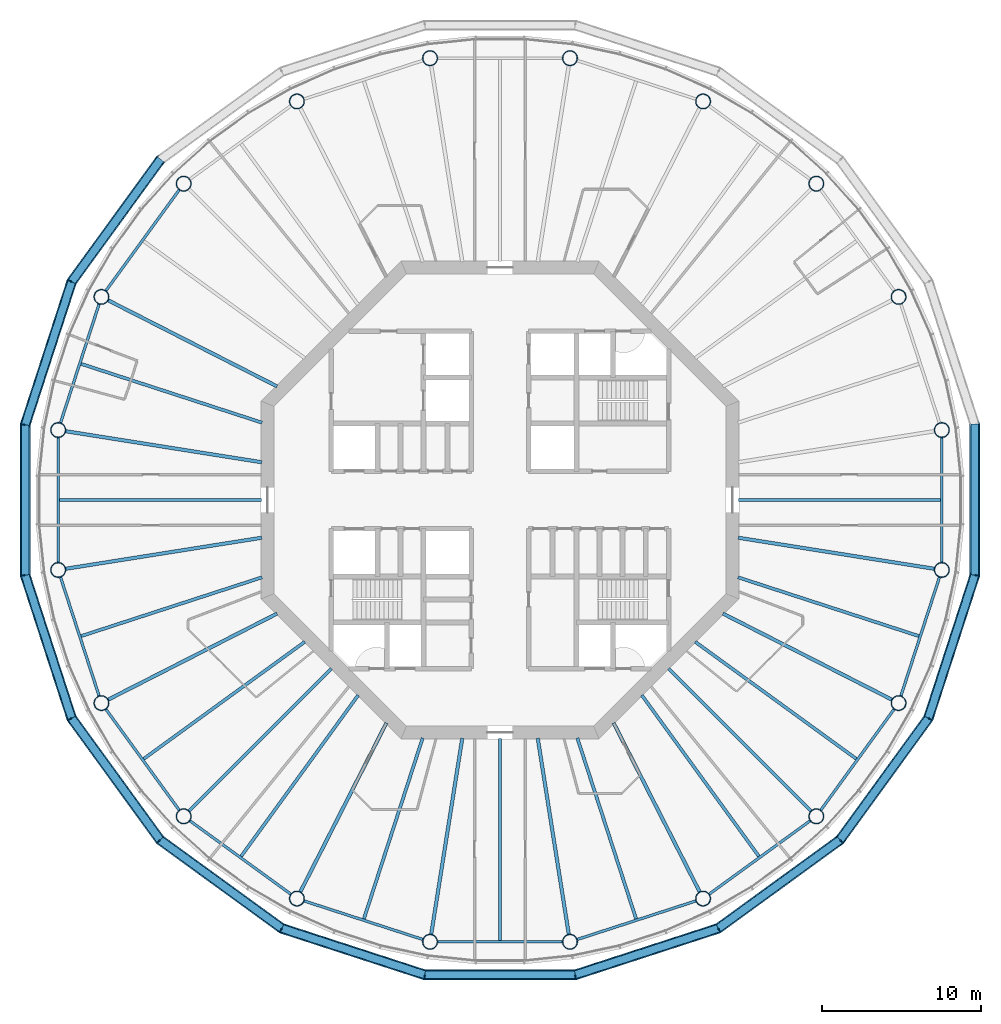
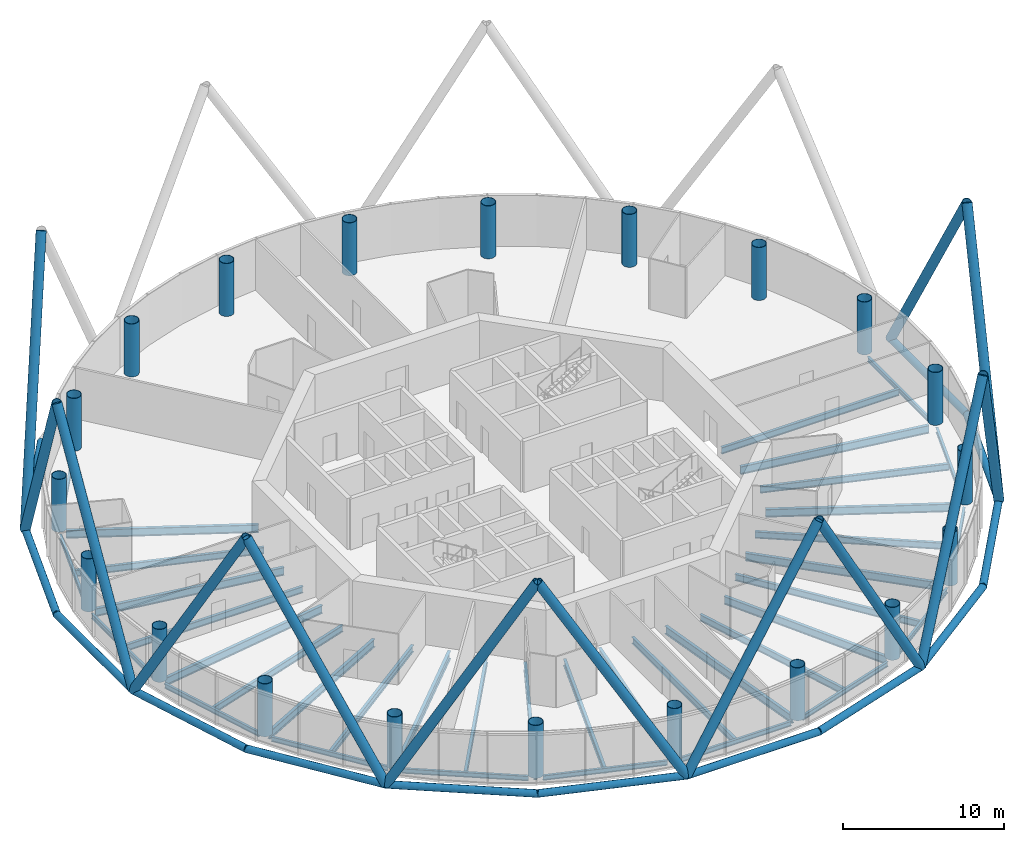
# One storey, part 1 of 13: 37 beams, 26 members, 20 columns.
"""IFC4 building model written with IfcOpenShell, lengths in metres."""

from ifc_helpers import new_model, si_unit, direction, frame, origin, origin_2d, place, context, subcontext, project, spatial, circle, hollow_circle, i_section, extrude, material, material_profile, profile_set, type_object, element, save


model = new_model("IFC4")

# Units and contexts
model_context = context("Model", 3, precision=1e-05, world=origin(), true_north=direction((0.0, 1.0)))
body_context = subcontext(model_context, "Body", "Model", "MODEL_VIEW")
ifc_project = project(units=[si_unit("LENGTHUNIT", "METRE"), si_unit("AREAUNIT", "SQUARE_METRE"), si_unit("VOLUMEUNIT", "CUBIC_METRE"), si_unit("PLANEANGLEUNIT", "RADIAN"), si_unit("MASSUNIT", "GRAM", prefix="KILO")], contexts=[model_context])

# Site, building, storey
site_placement = place(None, origin())
site = spatial("IfcSite", under=ifc_project, at=site_placement, CompositionType="ELEMENT")
building_placement = place(site_placement, origin())
building = spatial("IfcBuilding", under=site, at=building_placement, Name="Entoto Ring Tower", CompositionType="ELEMENT")
storey_placement = place(building_placement, frame((0.0, 0.0, 294.0)))
storey = spatial("IfcBuildingStorey", under=building, at=storey_placement, Name="L67", CompositionType="ELEMENT", Elevation=294.0)

# Columns
ifc_material_1 = material(Name="Steel S355", Category="steel")
ifc_material_profile_1 = material_profile(ifc_material_1, hollow_circle(Radius=0.47509765625, WallThickness=0.034912109375, at=origin_2d()), Name="CHS 950 x 35")
ifc_material_2 = material(Name="Concrete C60/75", Category="concrete")
ifc_material_profile_2 = material_profile(ifc_material_2, circle(Radius=0.43994140625, at=origin_2d()), Name="Concrete C60/75 infill")
ifc_profile_set_1 = profile_set([ifc_material_profile_1, ifc_material_profile_2], Name="Steel S355")
column_type = type_object("IfcColumnType", Name="Ring column 950 x 35 concrete-filled tube", PredefinedType="COLUMN", material=ifc_profile_set_1)
for number, where, z_axis, x_axis, name in (
    (1, (117.754150390625, 84.395751953125, 0.0), (0.0, 0.0, 1.0), (1.0, 0.0, 0.0), "RC5 R01"),
    (2, (115.037353515625, 92.757080078125, 0.0), (0.0, 0.0, 1.0), (1.0, 0.0, 0.0), "RC5 R02"),
    (3, (109.86962890625, 99.86962890625, 0.0), (0.0, 0.0, 1.0), (1.0, 0.0, 0.0), "RC5 R03"),
    (4, (102.757080078125, 105.037353515625, 0.0), (0.0, 0.0, 1.0), (1.0, 0.0, 0.0), "RC5 R04"),
    (5, (94.395751953125, 107.754150390625, 0.0), (0.0, 0.0, 1.0), (1.0, 0.0, 0.0), "RC5 R05"),
    (6, (85.604248046875, 107.754150390625, 0.0), (0.0, 0.0, 1.0), (1.0, 0.0, 0.0), "RC5 R06"),
    (7, (77.242919921875, 105.037353515625, 0.0), (0.0, 0.0, 1.0), (1.0, 0.0, 0.0), "RC5 R07"),
    (8, (70.13037109375, 99.86962890625, 0.0), (0.0, 0.0, 1.0), (1.0, 0.0, 0.0), "RC5 R08"),
    (9, (64.962646484375, 92.757080078125, 0.0), (0.0, 0.0, 1.0), (1.0, 0.0, 0.0), "RC5 R09"),
    (10, (62.245849609375, 84.395751953125, 0.0), (0.0, 0.0, 1.0), (1.0, 0.0, 0.0), "RC5 R10"),
    (11, (62.245849609375, 75.604248046875, 0.0), (0.0, 0.0, 1.0), (1.0, 0.0, 0.0), "RC5 R11"),
    (12, (64.962646484375, 67.242919921875, 0.0), (0.0, 0.0, 1.0), (1.0, 0.0, 0.0), "RC5 R12"),
    (13, (70.13037109375, 60.13037109375, 0.0), (0.0, 0.0, 1.0), (1.0, 0.0, 0.0), "RC5 R13"),
    (14, (77.242919921875, 54.962646484375, 0.0), (0.0, 0.0, 1.0), (1.0, 0.0, 0.0), "RC5 R14"),
    (15, (85.604248046875, 52.245849609375, 0.0), (0.0, 0.0, 1.0), (1.0, 0.0, 0.0), "RC5 R15"),
    (16, (94.395751953125, 52.245849609375, 0.0), (0.0, 0.0, 1.0), (1.0, 0.0, 0.0), "RC5 R16"),
    (17, (102.757080078125, 54.962646484375, 0.0), (0.0, 0.0, 1.0), (1.0, 0.0, 0.0), "RC5 R17"),
    (18, (109.86962890625, 60.13037109375, 0.0), (0.0, 0.0, 1.0), (1.0, 0.0, 0.0), "RC5 R18"),
    (19, (115.037353515625, 67.242919921875, 0.0), (0.0, 0.0, 1.0), (1.0, 0.0, 0.0), "RC5 R19"),
    (20, (117.754150390625, 75.604248046875, 0.0), (0.0, 0.0, 1.0), (1.0, 0.0, 0.0), "RC5 R20"),
):
    element("IfcColumn", number, at=place(storey_placement, frame(where, z_axis=z_axis, x_axis=x_axis)), inside=storey, type_object=column_type, Name=name, PredefinedType="COLUMN", context=body_context, shape_type="SweptSolid", body=[
        extrude(hollow_circle(Radius=0.47509765625, WallThickness=0.034912109375, at=origin_2d()), origin(), (0.0, 0.0, 1.0), 4.0),
    ])

# Members
ifc_material_3 = material(Name="Steel S355", Category="steel")
ifc_material_profile_3 = material_profile(ifc_material_3, hollow_circle(Radius=0.324951171875, WallThickness=0.031982421875, at=origin_2d()), Name="CHS 650 x 32")
ifc_material_4 = material(Name="Concrete C60/75", Category="concrete")
ifc_material_profile_4 = material_profile(ifc_material_4, circle(Radius=0.29296875, at=origin_2d()), Name="Concrete C60/75 infill")
ifc_profile_set_2 = profile_set([ifc_material_profile_3, ifc_material_profile_4], Name="Steel S355")
member_type_1 = type_object("IfcMemberType", Name="Diagrid diagonal 650 x 32 concrete-filled tube", PredefinedType="BRACE", material=ifc_profile_set_2)
for number, where, z_axis, x_axis, name in (
    (21, (119.828125, 84.724365234375, 0.0), (0.0, -0.508497342761, 0.861063558865), (1.0, 0.0, 0.0), "DG6 module 23 01"),
    (22, (63.091552734375, 93.71044921875, 0.0), (0.298880991698, 0.41138837397, 0.861063155967), (-0.809026493198, 0.587772178061, 0.0), "DG6 module 23 09"),
):
    element("IfcMember", number, at=place(storey_placement, frame(where, z_axis=z_axis, x_axis=x_axis)), inside=storey, type_object=member_type_1, Name=name, PredefinedType="BRACE", context=body_context, shape_type="SweptSolid", body=[
        extrude(hollow_circle(Radius=0.324951171875, WallThickness=0.031982421875, at=origin_2d()), origin(), (0.0, 0.0, 1.0), 18.581787109375),
    ])
member_1_placement = place(storey_placement, frame((63.091552734375, 93.71044921875, 0.0), z_axis=(-0.157127731074, -0.483602341134, 0.861068900714), x_axis=(0.951058940693, -0.309009532745, 0.0)))
element("IfcMember", 23, at=member_1_placement, inside=storey, type_object=member_type_1, Name="DG6 module 23 10", PredefinedType="BRACE", context=body_context, shape_type="SweptSolid", body=[
    extrude(hollow_circle(Radius=0.324951171875, WallThickness=0.031982421875, at=origin_2d()), origin(), (0.0, 0.0, 1.0), 18.58154296875),
])
member_2_placement = place(storey_placement, frame((60.171875, 75.275634765625, 0.0), z_axis=(0.0, 0.508497342761, 0.861063558865), x_axis=(-1.0, 0.0, 0.0)))
element("IfcMember", 24, at=member_2_placement, inside=storey, type_object=member_type_1, Name="DG6 module 23 11", PredefinedType="BRACE", context=body_context, shape_type="SweptSolid", body=[
    extrude(hollow_circle(Radius=0.324951171875, WallThickness=0.031982421875, at=origin_2d()), origin(), (0.0, 0.0, 1.0), 18.581787109375),
])
member_3_placement = place(storey_placement, frame((60.171875, 75.275634765625, 0.0), z_axis=(0.157127731074, -0.483602341134, 0.861068900714), x_axis=(0.951058940693, 0.309009532745, 0.0)))
element("IfcMember", 25, at=member_3_placement, inside=storey, type_object=member_type_1, Name="DG6 module 23 12", PredefinedType="BRACE", context=body_context, shape_type="SweptSolid", body=[
    extrude(hollow_circle(Radius=0.324951171875, WallThickness=0.031982421875, at=origin_2d()), origin(), (0.0, 0.0, 1.0), 18.58154296875),
])
for number, where, z_axis, x_axis, name in (
    (26, (68.645263671875, 58.645263671875, 0.0), (-0.298880991698, 0.41138837397, 0.861063155967), (-0.809026493198, -0.587772178061, 0.0), "DG6 module 23 13"),
    (27, (68.645263671875, 58.645263671875, 0.0), (0.41138837397, -0.298880991698, 0.861063155967), (0.587772178061, 0.809026493198, 0.0), "DG6 module 23 14"),
):
    element("IfcMember", number, at=place(storey_placement, frame(where, z_axis=z_axis, x_axis=x_axis)), inside=storey, type_object=member_type_1, Name=name, PredefinedType="BRACE", context=body_context, shape_type="SweptSolid", body=[
        extrude(hollow_circle(Radius=0.324951171875, WallThickness=0.031982421875, at=origin_2d()), origin(), (0.0, 0.0, 1.0), 18.581787109375),
    ])
member_4_placement = place(storey_placement, frame((85.275634765625, 50.171875, 0.0), z_axis=(-0.483602341134, 0.157127731074, 0.861068900714), x_axis=(-0.309009532745, -0.951058940693, 0.0)))
element("IfcMember", 28, at=member_4_placement, inside=storey, type_object=member_type_1, Name="DG6 module 23 15", PredefinedType="BRACE", context=body_context, shape_type="SweptSolid", body=[
    extrude(hollow_circle(Radius=0.324951171875, WallThickness=0.031982421875, at=origin_2d()), origin(), (0.0, 0.0, 1.0), 18.58154296875),
])
member_5_placement = place(storey_placement, frame((85.275634765625, 50.171875, 0.0), z_axis=(0.508497342761, 0.0, 0.861063558865), x_axis=(0.0, 1.0, 0.0)))
element("IfcMember", 29, at=member_5_placement, inside=storey, type_object=member_type_1, Name="DG6 module 23 16", PredefinedType="BRACE", context=body_context, shape_type="SweptSolid", body=[
    extrude(hollow_circle(Radius=0.324951171875, WallThickness=0.031982421875, at=origin_2d()), origin(), (0.0, 0.0, 1.0), 18.581787109375),
])
member_6_placement = place(storey_placement, frame((103.71044921875, 53.091552734375, 0.0), z_axis=(-0.483602341134, -0.157127731074, 0.861068900714), x_axis=(0.309009532745, -0.951058940693, 0.0)))
element("IfcMember", 30, at=member_6_placement, inside=storey, type_object=member_type_1, Name="DG6 module 23 17", PredefinedType="BRACE", context=body_context, shape_type="SweptSolid", body=[
    extrude(hollow_circle(Radius=0.324951171875, WallThickness=0.031982421875, at=origin_2d()), origin(), (0.0, 0.0, 1.0), 18.58154296875),
])
for number, where, z_axis, x_axis, name in (
    (31, (103.71044921875, 53.091552734375, 0.0), (0.41138837397, 0.298880991698, 0.861063155967), (-0.587772178061, 0.809026493198, 0.0), "DG6 module 23 18"),
    (32, (116.908447265625, 66.28955078125, 0.0), (-0.298880991698, -0.41138837397, 0.861063155967), (0.809026493198, -0.587772178061, 0.0), "DG6 module 23 19"),
):
    element("IfcMember", number, at=place(storey_placement, frame(where, z_axis=z_axis, x_axis=x_axis)), inside=storey, type_object=member_type_1, Name=name, PredefinedType="BRACE", context=body_context, shape_type="SweptSolid", body=[
        extrude(hollow_circle(Radius=0.324951171875, WallThickness=0.031982421875, at=origin_2d()), origin(), (0.0, 0.0, 1.0), 18.581787109375),
    ])
member_7_placement = place(storey_placement, frame((116.908447265625, 66.28955078125, 0.0), z_axis=(0.157127731074, 0.483602341134, 0.861068900714), x_axis=(-0.951058940693, 0.309009532745, 0.0)))
element("IfcMember", 33, at=member_7_placement, inside=storey, type_object=member_type_1, Name="DG6 module 23 20", PredefinedType="BRACE", context=body_context, shape_type="SweptSolid", body=[
    extrude(hollow_circle(Radius=0.324951171875, WallThickness=0.031982421875, at=origin_2d()), origin(), (0.0, 0.0, 1.0), 18.58154296875),
])
ifc_material_5 = material(Name="Steel S355", Category="steel")
ifc_material_profile_5 = material_profile(ifc_material_5, hollow_circle(Radius=0.25390625, WallThickness=0.030029296875, at=origin_2d()), Name="CHS 508 x 30")
ifc_material_6 = material(Name="Concrete C60/75", Category="concrete")
ifc_material_profile_6 = material_profile(ifc_material_6, circle(Radius=0.22412109375, at=origin_2d()), Name="Concrete C60/75 infill")
ifc_profile_set_3 = profile_set([ifc_material_profile_5, ifc_material_profile_6], Name="Steel S355")
member_type_2 = type_object("IfcMemberType", Name="Diagrid ring beam 508 x 30", PredefinedType="CHORD", material=ifc_profile_set_3)
for number, where, z_axis, x_axis, name in (
    (34, (68.6806640625, 101.4033203125, 0.0), (-0.587786303985, -0.809016230274, 0.0), (0.809016230274, -0.587786303985, 0.0), "DR2 ring 22 08"),
    (35, (63.110107421875, 93.767822265625, 0.0), (-0.308993189852, -0.951064250524, 0.0), (0.951064250524, -0.308993189852, 0.0), "DR2 ring 22 09"),
):
    element("IfcMember", number, at=place(storey_placement, frame(where, z_axis=z_axis, x_axis=x_axis)), inside=storey, type_object=member_type_2, Name=name, PredefinedType="CHORD", context=body_context, shape_type="SweptSolid", body=[
        extrude(hollow_circle(Radius=0.25390625, WallThickness=0.030029296875, at=origin_2d()), origin(), (0.0, 0.0, 1.0), 9.569091796875),
    ])
member_8_placement = place(storey_placement, frame((60.171875, 84.78466796875, 0.0), z_axis=(0.0, -1.0, 0.0), x_axis=(1.0, 0.0, 0.0)))
element("IfcMember", 36, at=member_8_placement, inside=storey, type_object=member_type_2, Name="DR2 ring 22 10", PredefinedType="CHORD", context=body_context, shape_type="SweptSolid", body=[
    extrude(hollow_circle(Radius=0.25390625, WallThickness=0.030029296875, at=origin_2d()), origin(), (0.0, 0.0, 1.0), 9.5693359375),
])
for number, where, z_axis, x_axis, name in (
    (37, (60.1533203125, 75.3330078125, 0.0), (0.308993189852, -0.951064250524, 0.0), (0.951064250524, 0.308993189852, 0.0), "DR2 ring 22 11"),
    (38, (63.05615234375, 66.338134765625, 0.0), (0.587786303985, -0.809016230274, 0.0), (0.809016230274, 0.587786303985, 0.0), "DR2 ring 22 12"),
    (39, (68.5966796875, 58.6806640625, 0.0), (0.809016230274, -0.587786303985, 0.0), (0.587786303985, 0.809016230274, 0.0), "DR2 ring 22 13"),
    (40, (76.232177734375, 53.110107421875, 0.0), (0.951064250524, -0.308993189852, 0.0), (0.308993189852, 0.951064250524, 0.0), "DR2 ring 22 14"),
):
    element("IfcMember", number, at=place(storey_placement, frame(where, z_axis=z_axis, x_axis=x_axis)), inside=storey, type_object=member_type_2, Name=name, PredefinedType="CHORD", context=body_context, shape_type="SweptSolid", body=[
        extrude(hollow_circle(Radius=0.25390625, WallThickness=0.030029296875, at=origin_2d()), origin(), (0.0, 0.0, 1.0), 9.569091796875),
    ])
member_9_placement = place(storey_placement, frame((85.21533203125, 50.171875, 0.0), z_axis=(1.0, 0.0, 0.0), x_axis=(0.0, 1.0, 0.0)))
element("IfcMember", 41, at=member_9_placement, inside=storey, type_object=member_type_2, Name="DR2 ring 22 15", PredefinedType="CHORD", context=body_context, shape_type="SweptSolid", body=[
    extrude(hollow_circle(Radius=0.25390625, WallThickness=0.030029296875, at=origin_2d()), origin(), (0.0, 0.0, 1.0), 9.5693359375),
])
for number, where, z_axis, x_axis, name in (
    (42, (94.6669921875, 50.1533203125, 0.0), (0.951064250524, 0.308993189852, 0.0), (-0.308993189852, 0.951064250524, 0.0), "DR2 ring 22 16"),
    (43, (103.661865234375, 53.05615234375, 0.0), (0.809016230274, 0.587786303985, 0.0), (-0.587786303985, 0.809016230274, 0.0), "DR2 ring 22 17"),
    (44, (111.3193359375, 58.5966796875, 0.0), (0.587786303985, 0.809016230274, 0.0), (-0.809016230274, 0.587786303985, 0.0), "DR2 ring 22 18"),
    (45, (116.889892578125, 66.232177734375, 0.0), (0.308993189852, 0.951064250524, 0.0), (-0.951064250524, 0.308993189852, 0.0), "DR2 ring 22 19"),
):
    element("IfcMember", number, at=place(storey_placement, frame(where, z_axis=z_axis, x_axis=x_axis)), inside=storey, type_object=member_type_2, Name=name, PredefinedType="CHORD", context=body_context, shape_type="SweptSolid", body=[
        extrude(hollow_circle(Radius=0.25390625, WallThickness=0.030029296875, at=origin_2d()), origin(), (0.0, 0.0, 1.0), 9.569091796875),
    ])
member_10_placement = place(storey_placement, frame((119.828125, 75.21533203125, 0.0), z_axis=(0.0, 1.0, 0.0), x_axis=(-1.0, 0.0, 0.0)))
element("IfcMember", 46, at=member_10_placement, inside=storey, type_object=member_type_2, Name="DR2 ring 22 20", PredefinedType="CHORD", context=body_context, shape_type="SweptSolid", body=[
    extrude(hollow_circle(Radius=0.25390625, WallThickness=0.030029296875, at=origin_2d()), origin(), (0.0, 0.0, 1.0), 9.5693359375),
])

# Beams
ifc_material_7 = material(Name="Steel S355", Category="steel")
ifc_material_profile_7 = material_profile(ifc_material_7, i_section(OverallWidth=0.169921875, OverallDepth=0.360107421875, WebThickness=0.008056640625, FlangeThickness=0.0126953125, FilletRadius=0.01806640625, at=origin_2d()), Name="IPE 360")
ifc_profile_set_4 = profile_set([ifc_material_profile_7], Name="Steel S355")
beam_type_1 = type_object("IfcBeamType", Name="Edge beam IPE 360", PredefinedType="SPANDREL", material=ifc_profile_set_4)
beam_1_placement = place(storey_placement, frame((69.867431640625, 99.5078125, -0.330078125), z_axis=(-0.587787449408, -0.809015398073, 0.0), x_axis=(0.809015398073, -0.587787449408, 0.0)))
element("IfcBeam", 47, at=beam_1_placement, inside=storey, type_object=beam_type_1, Name="Edge beam L67 08", PredefinedType="SPANDREL", context=body_context, shape_type="SweptSolid", body=[
    extrude(i_section(OverallWidth=0.169921875, OverallDepth=0.360107421875, WebThickness=0.008056640625, FlangeThickness=0.0126953125, FilletRadius=0.01806640625, at=origin_2d()), origin(), (0.0, 0.0, 1.0), 7.897216796875),
])
for number, where, z_axis, x_axis, name in (
    (48, (64.824462890625, 92.331787109375, -0.330078125), (-0.309002883506, -0.951061101079, 0.0), (0.951061101079, -0.309002883506, 0.0), "Edge beam L67 09"),
    (49, (62.245849609375, 83.948486328125, -0.330078125), (0.0, -1.0, 0.0), (1.0, 0.0, 0.0), "Edge beam L67 10"),
    (50, (62.38427734375, 75.1787109375, -0.330078125), (0.309002883506, -0.951061101079, 0.0), (0.951061101079, 0.309002883506, 0.0), "Edge beam L67 11"),
):
    element("IfcBeam", number, at=place(storey_placement, frame(where, z_axis=z_axis, x_axis=x_axis)), inside=storey, type_object=beam_type_1, Name=name, PredefinedType="SPANDREL", context=body_context, shape_type="SweptSolid", body=[
        extrude(i_section(OverallWidth=0.169921875, OverallDepth=0.360107421875, WebThickness=0.008056640625, FlangeThickness=0.0126953125, FilletRadius=0.01806640625, at=origin_2d()), origin(), (0.0, 0.0, 1.0), 7.89697265625),
    ])
for number, where, z_axis, x_axis, name in (
    (51, (65.2255859375, 66.881103515625, -0.330078125), (0.587787449408, -0.809015398073, 0.0), (0.809015398073, 0.587787449408, 0.0), "Edge beam L67 12"),
    (52, (70.4921875, 59.867431640625, -0.330078125), (0.809015398073, -0.587787449408, 0.0), (0.587787449408, 0.809015398073, 0.0), "Edge beam L67 13"),
):
    element("IfcBeam", number, at=place(storey_placement, frame(where, z_axis=z_axis, x_axis=x_axis)), inside=storey, type_object=beam_type_1, Name=name, PredefinedType="SPANDREL", context=body_context, shape_type="SweptSolid", body=[
        extrude(i_section(OverallWidth=0.169921875, OverallDepth=0.360107421875, WebThickness=0.008056640625, FlangeThickness=0.0126953125, FilletRadius=0.01806640625, at=origin_2d()), origin(), (0.0, 0.0, 1.0), 7.897216796875),
    ])
for number, where, z_axis, x_axis, name in (
    (53, (77.668212890625, 54.824462890625, -0.330078125), (0.951061101079, -0.309002883506, 0.0), (0.309002883506, 0.951061101079, 0.0), "Edge beam L67 14"),
    (54, (86.051513671875, 52.245849609375, -0.330078125), (1.0, 0.0, 0.0), (0.0, 1.0, 0.0), "Edge beam L67 15"),
    (55, (94.8212890625, 52.38427734375, -0.330078125), (0.951061101079, 0.309002883506, 0.0), (-0.309002883506, 0.951061101079, 0.0), "Edge beam L67 16"),
):
    element("IfcBeam", number, at=place(storey_placement, frame(where, z_axis=z_axis, x_axis=x_axis)), inside=storey, type_object=beam_type_1, Name=name, PredefinedType="SPANDREL", context=body_context, shape_type="SweptSolid", body=[
        extrude(i_section(OverallWidth=0.169921875, OverallDepth=0.360107421875, WebThickness=0.008056640625, FlangeThickness=0.0126953125, FilletRadius=0.01806640625, at=origin_2d()), origin(), (0.0, 0.0, 1.0), 7.89697265625),
    ])
for number, where, z_axis, x_axis, name in (
    (56, (103.118896484375, 55.2255859375, -0.330078125), (0.809015398073, 0.587787449408, 0.0), (-0.587787449408, 0.809015398073, 0.0), "Edge beam L67 17"),
    (57, (110.132568359375, 60.4921875, -0.330078125), (0.587787449408, 0.809015398073, 0.0), (-0.809015398073, 0.587787449408, 0.0), "Edge beam L67 18"),
):
    element("IfcBeam", number, at=place(storey_placement, frame(where, z_axis=z_axis, x_axis=x_axis)), inside=storey, type_object=beam_type_1, Name=name, PredefinedType="SPANDREL", context=body_context, shape_type="SweptSolid", body=[
        extrude(i_section(OverallWidth=0.169921875, OverallDepth=0.360107421875, WebThickness=0.008056640625, FlangeThickness=0.0126953125, FilletRadius=0.01806640625, at=origin_2d()), origin(), (0.0, 0.0, 1.0), 7.897216796875),
    ])
for number, where, z_axis, x_axis, name in (
    (58, (115.175537109375, 67.668212890625, -0.330078125), (0.309002883506, 0.951061101079, 0.0), (-0.951061101079, 0.309002883506, 0.0), "Edge beam L67 19"),
    (59, (117.754150390625, 76.051513671875, -0.330078125), (0.0, 1.0, 0.0), (-1.0, 0.0, 0.0), "Edge beam L67 20"),
):
    element("IfcBeam", number, at=place(storey_placement, frame(where, z_axis=z_axis, x_axis=x_axis)), inside=storey, type_object=beam_type_1, Name=name, PredefinedType="SPANDREL", context=body_context, shape_type="SweptSolid", body=[
        extrude(i_section(OverallWidth=0.169921875, OverallDepth=0.360107421875, WebThickness=0.008056640625, FlangeThickness=0.0126953125, FilletRadius=0.01806640625, at=origin_2d()), origin(), (0.0, 0.0, 1.0), 7.89697265625),
    ])
ifc_material_8 = material(Name="Steel S355", Category="steel")
ifc_material_profile_8 = material_profile(ifc_material_8, i_section(OverallWidth=0.219970703125, OverallDepth=0.60009765625, WebThickness=0.011962890625, FlangeThickness=0.01904296875, FilletRadius=0.02392578125, at=origin_2d()), Name="IPE 600")
ifc_profile_set_5 = profile_set([ifc_material_profile_8], Name="Steel S355")
beam_type_2 = type_object("IfcBeamType", Name="Primary floor beam IPE 600", PredefinedType="BEAM", material=ifc_profile_set_5)
beam_2_placement = place(storey_placement, frame((75.996826171875, 87.135009765625, -0.449951171875), z_axis=(-0.891007666593, 0.453988257638, 0.0), x_axis=(-0.453988257638, -0.891007666593, 0.0)))
element("IfcBeam", 60, at=beam_2_placement, inside=storey, type_object=beam_type_2, Name="Primary L67 R09", PredefinedType="BEAM", context=body_context, shape_type="SweptSolid", body=[
    extrude(i_section(OverallWidth=0.219970703125, OverallDepth=0.60009765625, WebThickness=0.011962890625, FlangeThickness=0.01904296875, FilletRadius=0.02392578125, at=origin_2d()), origin(), (0.0, 0.0, 1.0), 11.941650390625),
])
for number, where, z_axis, x_axis, name in (
    (61, (75.036865234375, 82.369873046875, -0.449951171875), (-0.987687519796, 0.156439647277, 0.0), (-0.156439647277, -0.987687519796, 0.0), "Primary L67 R10"),
    (62, (75.036865234375, 77.630126953125, -0.449951171875), (-0.987687519796, -0.156439647277, 0.0), (0.156439647277, -0.987687519796, 0.0), "Primary L67 R11"),
):
    element("IfcBeam", number, at=place(storey_placement, frame(where, z_axis=z_axis, x_axis=x_axis)), inside=storey, type_object=beam_type_2, Name=name, PredefinedType="BEAM", context=body_context, shape_type="SweptSolid", body=[
        extrude(i_section(OverallWidth=0.219970703125, OverallDepth=0.60009765625, WebThickness=0.011962890625, FlangeThickness=0.01904296875, FilletRadius=0.02392578125, at=origin_2d()), origin(), (0.0, 0.0, 1.0), 12.50830078125),
    ])
beam_3_placement = place(storey_placement, frame((75.996826171875, 72.864990234375, -0.449951171875), z_axis=(-0.891007666593, -0.453988257638, 0.0), x_axis=(0.453988257638, -0.891007666593, 0.0)))
element("IfcBeam", 63, at=beam_3_placement, inside=storey, type_object=beam_type_2, Name="Primary L67 R12", PredefinedType="BEAM", context=body_context, shape_type="SweptSolid", body=[
    extrude(i_section(OverallWidth=0.219970703125, OverallDepth=0.60009765625, WebThickness=0.011962890625, FlangeThickness=0.01904296875, FilletRadius=0.02392578125, at=origin_2d()), origin(), (0.0, 0.0, 1.0), 11.941650390625),
])
beam_4_placement = place(storey_placement, frame((79.407470703125, 69.407470703125, -0.449951171875), z_axis=(-0.707106781187, -0.707106781187, 0.0), x_axis=(0.707106781187, -0.707106781187, 0.0)))
element("IfcBeam", 64, at=beam_4_placement, inside=storey, type_object=beam_type_2, Name="Primary L67 R13", PredefinedType="BEAM", context=body_context, shape_type="SweptSolid", body=[
    extrude(i_section(OverallWidth=0.219970703125, OverallDepth=0.60009765625, WebThickness=0.011962890625, FlangeThickness=0.01904296875, FilletRadius=0.02392578125, at=origin_2d()), origin(), (0.0, 0.0, 1.0), 12.677978515625),
])
beam_5_placement = place(storey_placement, frame((82.864990234375, 65.996826171875, -0.449951171875), z_axis=(-0.453988257638, -0.891007666593, 0.0), x_axis=(0.891007666593, -0.453988257638, 0.0)))
element("IfcBeam", 65, at=beam_5_placement, inside=storey, type_object=beam_type_2, Name="Primary L67 R14", PredefinedType="BEAM", context=body_context, shape_type="SweptSolid", body=[
    extrude(i_section(OverallWidth=0.219970703125, OverallDepth=0.60009765625, WebThickness=0.011962890625, FlangeThickness=0.01904296875, FilletRadius=0.02392578125, at=origin_2d()), origin(), (0.0, 0.0, 1.0), 11.941650390625),
])
for number, where, z_axis, x_axis, name in (
    (66, (87.630126953125, 65.036865234375, -0.449951171875), (-0.156439647277, -0.987687519796, 0.0), (0.987687519796, -0.156439647277, 0.0), "Primary L67 R15"),
    (67, (92.369873046875, 65.036865234375, -0.449951171875), (0.156439647277, -0.987687519796, 0.0), (0.987687519796, 0.156439647277, 0.0), "Primary L67 R16"),
):
    element("IfcBeam", number, at=place(storey_placement, frame(where, z_axis=z_axis, x_axis=x_axis)), inside=storey, type_object=beam_type_2, Name=name, PredefinedType="BEAM", context=body_context, shape_type="SweptSolid", body=[
        extrude(i_section(OverallWidth=0.219970703125, OverallDepth=0.60009765625, WebThickness=0.011962890625, FlangeThickness=0.01904296875, FilletRadius=0.02392578125, at=origin_2d()), origin(), (0.0, 0.0, 1.0), 12.50830078125),
    ])
beam_6_placement = place(storey_placement, frame((97.135009765625, 65.996826171875, -0.449951171875), z_axis=(0.453988257638, -0.891007666593, 0.0), x_axis=(0.891007666593, 0.453988257638, 0.0)))
element("IfcBeam", 68, at=beam_6_placement, inside=storey, type_object=beam_type_2, Name="Primary L67 R17", PredefinedType="BEAM", context=body_context, shape_type="SweptSolid", body=[
    extrude(i_section(OverallWidth=0.219970703125, OverallDepth=0.60009765625, WebThickness=0.011962890625, FlangeThickness=0.01904296875, FilletRadius=0.02392578125, at=origin_2d()), origin(), (0.0, 0.0, 1.0), 11.941650390625),
])
beam_7_placement = place(storey_placement, frame((100.592529296875, 69.407470703125, -0.449951171875), z_axis=(0.707106781187, -0.707106781187, 0.0), x_axis=(0.707106781187, 0.707106781187, 0.0)))
element("IfcBeam", 69, at=beam_7_placement, inside=storey, type_object=beam_type_2, Name="Primary L67 R18", PredefinedType="BEAM", context=body_context, shape_type="SweptSolid", body=[
    extrude(i_section(OverallWidth=0.219970703125, OverallDepth=0.60009765625, WebThickness=0.011962890625, FlangeThickness=0.01904296875, FilletRadius=0.02392578125, at=origin_2d()), origin(), (0.0, 0.0, 1.0), 12.677978515625),
])
beam_8_placement = place(storey_placement, frame((104.003173828125, 72.864990234375, -0.449951171875), z_axis=(0.891007666593, -0.453988257638, 0.0), x_axis=(0.453988257638, 0.891007666593, 0.0)))
element("IfcBeam", 70, at=beam_8_placement, inside=storey, type_object=beam_type_2, Name="Primary L67 R19", PredefinedType="BEAM", context=body_context, shape_type="SweptSolid", body=[
    extrude(i_section(OverallWidth=0.219970703125, OverallDepth=0.60009765625, WebThickness=0.011962890625, FlangeThickness=0.01904296875, FilletRadius=0.02392578125, at=origin_2d()), origin(), (0.0, 0.0, 1.0), 11.941650390625),
])
beam_9_placement = place(storey_placement, frame((104.963134765625, 77.630126953125, -0.449951171875), z_axis=(0.987687519796, -0.156439647277, 0.0), x_axis=(0.156439647277, 0.987687519796, 0.0)))
element("IfcBeam", 71, at=beam_9_placement, inside=storey, type_object=beam_type_2, Name="Primary L67 R20", PredefinedType="BEAM", context=body_context, shape_type="SweptSolid", body=[
    extrude(i_section(OverallWidth=0.219970703125, OverallDepth=0.60009765625, WebThickness=0.011962890625, FlangeThickness=0.01904296875, FilletRadius=0.02392578125, at=origin_2d()), origin(), (0.0, 0.0, 1.0), 12.50830078125),
])
ifc_material_9 = material(Name="Steel S355", Category="steel")
ifc_material_profile_9 = material_profile(ifc_material_9, i_section(OverallWidth=0.199951171875, OverallDepth=0.5, WebThickness=0.01025390625, FlangeThickness=0.01611328125, FilletRadius=0.02099609375, at=origin_2d()), Name="IPE 500")
ifc_profile_set_6 = profile_set([ifc_material_profile_9], Name="Steel S355")
beam_type_3 = type_object("IfcBeamType", Name="Secondary floor beam IPE 500", PredefinedType="JOIST", material=ifc_profile_set_6)
beam_10_placement = place(storey_placement, frame((75.0498046875, 84.857666015625, -0.39990234375), z_axis=(-0.951056587506, 0.30901677521, 0.0), x_axis=(-0.30901677521, -0.951056587506, 0.0)))
element("IfcBeam", 72, at=beam_10_placement, inside=storey, type_object=beam_type_3, Name="Secondary beam L67 09", PredefinedType="JOIST", context=body_context, shape_type="SweptSolid", body=[
    extrude(i_section(OverallWidth=0.199951171875, OverallDepth=0.5, WebThickness=0.01025390625, FlangeThickness=0.01611328125, FilletRadius=0.02099609375, at=origin_2d()), origin(), (0.0, 0.0, 1.0), 11.94970703125),
])
beam_11_placement = place(storey_placement, frame((75.02001953125, 80.0, -0.39990234375), z_axis=(-1.0, 0.0, 0.0), x_axis=(0.0, -1.0, 0.0)))
element("IfcBeam", 73, at=beam_11_placement, inside=storey, type_object=beam_type_3, Name="Secondary beam L67 10", PredefinedType="JOIST", context=body_context, shape_type="SweptSolid", body=[
    extrude(i_section(OverallWidth=0.199951171875, OverallDepth=0.5, WebThickness=0.01025390625, FlangeThickness=0.01611328125, FilletRadius=0.02099609375, at=origin_2d()), origin(), (0.0, 0.0, 1.0), 12.68896484375),
])
beam_12_placement = place(storey_placement, frame((75.0498046875, 75.142333984375, -0.39990234375), z_axis=(-0.951056587506, -0.30901677521, 0.0), x_axis=(0.30901677521, -0.951056587506, 0.0)))
element("IfcBeam", 74, at=beam_12_placement, inside=storey, type_object=beam_type_3, Name="Secondary beam L67 11", PredefinedType="JOIST", context=body_context, shape_type="SweptSolid", body=[
    extrude(i_section(OverallWidth=0.199951171875, OverallDepth=0.5, WebThickness=0.01025390625, FlangeThickness=0.01611328125, FilletRadius=0.02099609375, at=origin_2d()), origin(), (0.0, 0.0, 1.0), 11.94970703125),
])
for number, where, z_axis, x_axis, name in (
    (75, (77.742431640625, 71.094482421875, -0.39990234375), (-0.80901431041, -0.587788946436, 0.0), (0.587788946436, -0.80901431041, 0.0), "Secondary beam L67 12"),
    (76, (81.094482421875, 67.742431640625, -0.39990234375), (-0.587788946436, -0.80901431041, 0.0), (0.80901431041, -0.587788946436, 0.0), "Secondary beam L67 13"),
):
    element("IfcBeam", number, at=place(storey_placement, frame(where, z_axis=z_axis, x_axis=x_axis)), inside=storey, type_object=beam_type_3, Name=name, PredefinedType="JOIST", context=body_context, shape_type="SweptSolid", body=[
        extrude(i_section(OverallWidth=0.199951171875, OverallDepth=0.5, WebThickness=0.01025390625, FlangeThickness=0.01611328125, FilletRadius=0.02099609375, at=origin_2d()), origin(), (0.0, 0.0, 1.0), 12.51806640625),
    ])
beam_13_placement = place(storey_placement, frame((85.142333984375, 65.0498046875, -0.39990234375), z_axis=(-0.30901677521, -0.951056587506, 0.0), x_axis=(0.951056587506, -0.30901677521, 0.0)))
element("IfcBeam", 77, at=beam_13_placement, inside=storey, type_object=beam_type_3, Name="Secondary beam L67 14", PredefinedType="JOIST", context=body_context, shape_type="SweptSolid", body=[
    extrude(i_section(OverallWidth=0.199951171875, OverallDepth=0.5, WebThickness=0.01025390625, FlangeThickness=0.01611328125, FilletRadius=0.02099609375, at=origin_2d()), origin(), (0.0, 0.0, 1.0), 11.94970703125),
])
beam_14_placement = place(storey_placement, frame((90.0, 65.02001953125, -0.39990234375), z_axis=(0.0, -1.0, 0.0), x_axis=(1.0, 0.0, 0.0)))
element("IfcBeam", 78, at=beam_14_placement, inside=storey, type_object=beam_type_3, Name="Secondary beam L67 15", PredefinedType="JOIST", context=body_context, shape_type="SweptSolid", body=[
    extrude(i_section(OverallWidth=0.199951171875, OverallDepth=0.5, WebThickness=0.01025390625, FlangeThickness=0.01611328125, FilletRadius=0.02099609375, at=origin_2d()), origin(), (0.0, 0.0, 1.0), 12.68896484375),
])
beam_15_placement = place(storey_placement, frame((94.857666015625, 65.0498046875, -0.39990234375), z_axis=(0.30901677521, -0.951056587506, 0.0), x_axis=(0.951056587506, 0.30901677521, 0.0)))
element("IfcBeam", 79, at=beam_15_placement, inside=storey, type_object=beam_type_3, Name="Secondary beam L67 16", PredefinedType="JOIST", context=body_context, shape_type="SweptSolid", body=[
    extrude(i_section(OverallWidth=0.199951171875, OverallDepth=0.5, WebThickness=0.01025390625, FlangeThickness=0.01611328125, FilletRadius=0.02099609375, at=origin_2d()), origin(), (0.0, 0.0, 1.0), 11.94970703125),
])
for number, where, z_axis, x_axis, name in (
    (80, (98.905517578125, 67.742431640625, -0.39990234375), (0.587788946436, -0.80901431041, 0.0), (0.80901431041, 0.587788946436, 0.0), "Secondary beam L67 17"),
    (81, (102.257568359375, 71.094482421875, -0.39990234375), (0.80901431041, -0.587788946436, 0.0), (0.587788946436, 0.80901431041, 0.0), "Secondary beam L67 18"),
):
    element("IfcBeam", number, at=place(storey_placement, frame(where, z_axis=z_axis, x_axis=x_axis)), inside=storey, type_object=beam_type_3, Name=name, PredefinedType="JOIST", context=body_context, shape_type="SweptSolid", body=[
        extrude(i_section(OverallWidth=0.199951171875, OverallDepth=0.5, WebThickness=0.01025390625, FlangeThickness=0.01611328125, FilletRadius=0.02099609375, at=origin_2d()), origin(), (0.0, 0.0, 1.0), 12.51806640625),
    ])
beam_16_placement = place(storey_placement, frame((104.9501953125, 75.142333984375, -0.39990234375), z_axis=(0.951056587506, -0.30901677521, 0.0), x_axis=(0.30901677521, 0.951056587506, 0.0)))
element("IfcBeam", 82, at=beam_16_placement, inside=storey, type_object=beam_type_3, Name="Secondary beam L67 19", PredefinedType="JOIST", context=body_context, shape_type="SweptSolid", body=[
    extrude(i_section(OverallWidth=0.199951171875, OverallDepth=0.5, WebThickness=0.01025390625, FlangeThickness=0.01611328125, FilletRadius=0.02099609375, at=origin_2d()), origin(), (0.0, 0.0, 1.0), 11.94970703125),
])
beam_17_placement = place(storey_placement, frame((104.97998046875, 80.0, -0.39990234375), z_axis=(1.0, 0.0, 0.0), x_axis=(0.0, 1.0, 0.0)))
element("IfcBeam", 83, at=beam_17_placement, inside=storey, type_object=beam_type_3, Name="Secondary beam L67 20", PredefinedType="JOIST", context=body_context, shape_type="SweptSolid", body=[
    extrude(i_section(OverallWidth=0.199951171875, OverallDepth=0.5, WebThickness=0.01025390625, FlangeThickness=0.01611328125, FilletRadius=0.02099609375, at=origin_2d()), origin(), (0.0, 0.0, 1.0), 12.68896484375),
])

save(model, "model.ifc")
